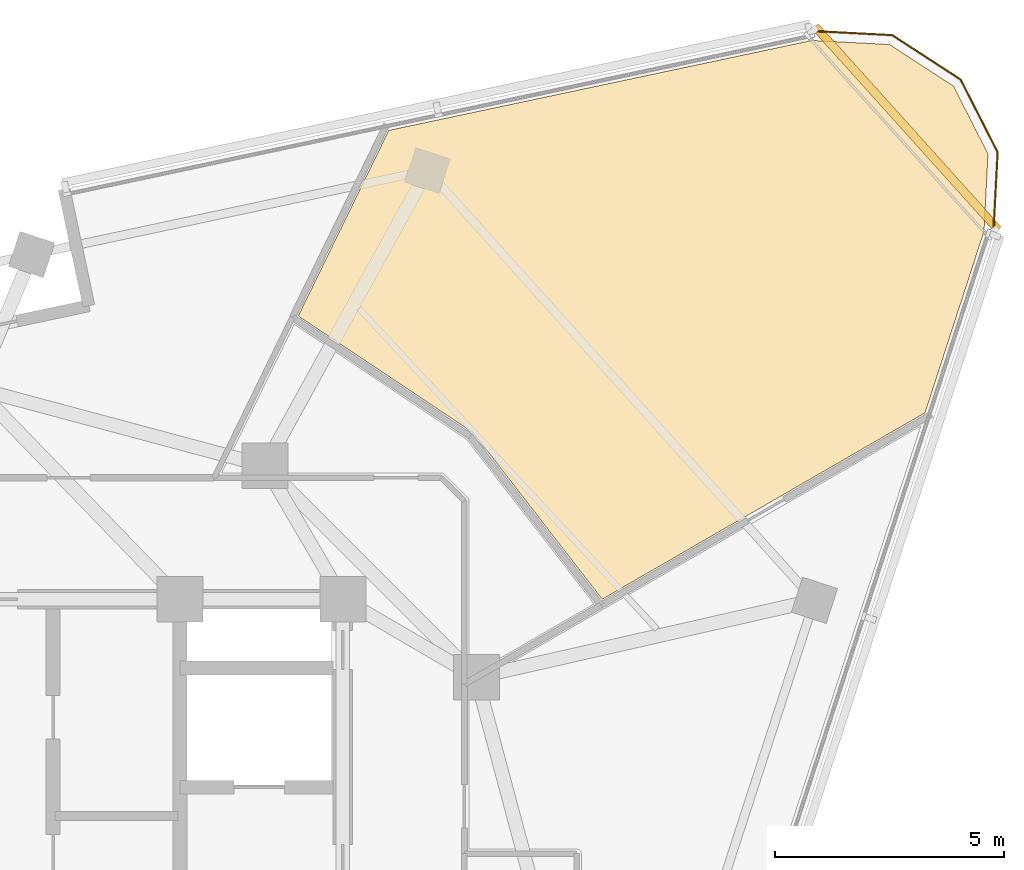
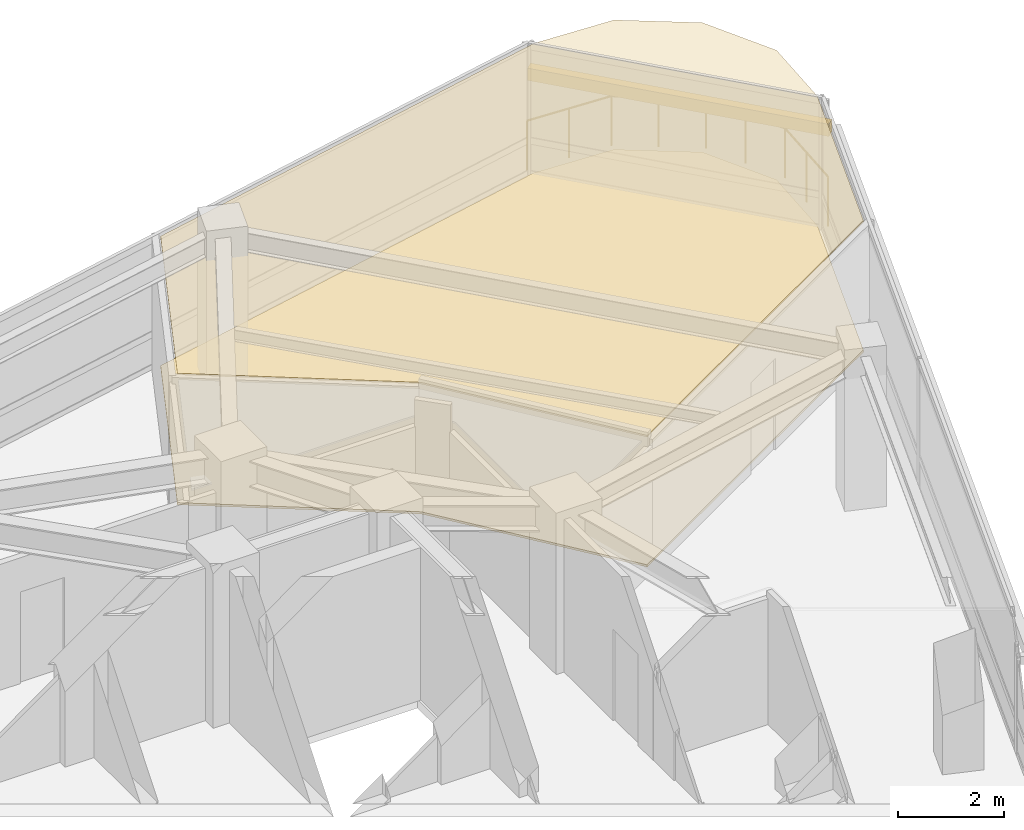
# One storey, part 15 of 15: 2 coverings, 1 railing, 1 shading device.
"""IFC4 building model written with IfcOpenShell, lengths in metres."""

from ifc_helpers import new_model, si_unit, direction, frame, origin, origin_2d, place, context, subcontext, project, spatial, polyline, rectangle, circle, outline, extrude, material, layer, layer_set, type_object, element, save


model = new_model("IFC4")

# Units and contexts
model_context = context("Model", 3, precision=1e-05, world=origin(), true_north=direction((0.0, 1.0)))
body_context = subcontext(model_context, "Body", "Model", "MODEL_VIEW")
ifc_project = project(units=[si_unit("LENGTHUNIT", "METRE"), si_unit("AREAUNIT", "SQUARE_METRE"), si_unit("VOLUMEUNIT", "CUBIC_METRE"), si_unit("PLANEANGLEUNIT", "RADIAN"), si_unit("MASSUNIT", "GRAM", prefix="KILO")], contexts=[model_context])

# Site, building, storey
site_placement = place(None, origin())
site = spatial("IfcSite", under=ifc_project, at=site_placement, CompositionType="ELEMENT")
building_placement = place(site_placement, origin())
building = spatial("IfcBuilding", under=site, at=building_placement, Name="Terralouvre Media Tower", CompositionType="ELEMENT")
storey_placement = place(building_placement, frame((0.0, 0.0, 305.39990234375)))
storey = spatial("IfcBuildingStorey", under=building, at=storey_placement, Name="L79", CompositionType="ELEMENT", Elevation=305.39990234375)

# Coverings
ifc_material_1 = material(Name="Resilient elastomer acoustic broadcast studio flooring")
ifc_layer_1 = layer(ifc_material_1, 0.050048828125, Name="Broadcast Studio Acoustic Floating Floor FL-AC1")
ifc_layer_set_1 = layer_set([ifc_layer_1], Name="Resilient elastomer acoustic broadcast studio flooring")
covering_type_1 = type_object("IfcCoveringType", Name="Broadcast Studio Acoustic Floating Floor FL-AC1", PredefinedType="FLOORING", material=ifc_layer_set_1)
covering_1_placement = place(storey_placement, frame((0.0, 0.0, 0.0), z_axis=(0.0, 0.0, 1.0), x_axis=(0.309016994375, 0.951056516295, 0.0)))
element("IfcCovering", 1, at=covering_1_placement, inside=storey, type_object=covering_type_1, Name="L79 Sound Engineers Crew Room 7 Acoustic Floating Floor", PredefinedType="FLOORING", context=body_context, shape_type="SweptSolid", body=[
    extrude(outline(polyline([(20.115478515625, -2.927734375), (15.6572265625, -2.301513671875), (14.415771484375, -6.705078125), (14.412109375, -6.71533203125), (14.40771484375, -6.724853515625), (14.402099609375, -6.734130859375), (11.82763671875, -10.515380859375), (17.870849609375, -15.956298828125), (22.031494140625, -15.95654296875), (23.666015625, -15.51806640625), (24.841552734375, -14.342529296875), (25.272216796875, -12.73681640625), (24.834228515625, -11.10107421875), (20.115478515625, -2.927734375)])), origin(), (0.0, 0.0, 1.0), 0.050048828125),
])
ifc_material_2 = material(Name="Perforated aluminium acoustic ceiling baffle", Category="aluminium")
ifc_layer_2 = layer(ifc_material_2, 0.0400390625, Name="Perforated Acoustic Metal Tile Ceiling CL-AC1")
ifc_layer_set_2 = layer_set([ifc_layer_2], Name="Perforated aluminium acoustic ceiling baffle")
covering_type_2 = type_object("IfcCoveringType", Name="Perforated Acoustic Metal Tile Ceiling CL-AC1", PredefinedType="CEILING", material=ifc_layer_set_2)
covering_2_placement = place(storey_placement, frame((0.0, 0.0, 2.97998046875), z_axis=(0.0, 0.0, 1.0), x_axis=(0.309016994375, 0.951056516295, 0.0)))
element("IfcCovering", 2, at=covering_2_placement, inside=storey, type_object=covering_type_2, Name="L79 Sound Engineers Crew Room 7 Acoustic Ceiling", PredefinedType="CEILING", context=body_context, shape_type="SweptSolid", body=[
    extrude(outline(polyline([(20.115478515625, -2.927734375), (15.6572265625, -2.301513671875), (14.415771484375, -6.705078125), (14.412109375, -6.71533203125), (14.40771484375, -6.724853515625), (14.402099609375, -6.734130859375), (11.82763671875, -10.515380859375), (17.870849609375, -15.956298828125), (22.031494140625, -15.95654296875), (23.666015625, -15.51806640625), (24.841552734375, -14.342529296875), (25.272216796875, -12.73681640625), (24.834228515625, -11.10107421875), (20.115478515625, -2.927734375)])), origin(), (0.0, 0.0, 1.0), 0.0400390625),
])

# Railing
ifc_material_3 = material(Name="Stainless steel 316 handrail and balustrade", Category="steel")
ifc_layer_3 = layer(ifc_material_3, 0.06005859375, Name="Roof Edge Safety Guardrail GR-ROOF1")
ifc_layer_set_3 = layer_set([ifc_layer_3], Name="Stainless steel 316 handrail and balustrade")
railing_type = type_object("IfcRailingType", Name="Roof Edge Safety Guardrail GR-ROOF1", PredefinedType="GUARDRAIL", material=ifc_layer_set_3)
railing_placement = place(storey_placement, frame((22.189453125, 15.972900390625, 0.0)))
element("IfcRailing", 3, at=railing_placement, inside=storey, type_object=railing_type, Name="L79 Wind-Corner Perimeter Safety Guardrail C1", PredefinedType="GUARDRAIL", context=body_context, shape_type="SweptSolid", body=[
    extrude(circle(Radius=0.02099609375, at=origin_2d()), frame((0.0, 0.0, 1.12890625), z_axis=(0.052530038308, 0.998619344433, 0.0), x_axis=(-0.998619344433, 0.052530038308, 0.0)), (0.0, 0.0, 1.0), 1.780029296875),
    extrude(circle(Radius=0.02099609375, at=origin_2d()), frame((0.093505859375, 1.777587890625, 1.12890625), z_axis=(-0.453894958645, 0.891055198356, 0.0), x_axis=(-0.891055198356, -0.453894958645, 0.0)), (0.0, 0.0, 1.0), 1.77978515625),
    extrude(circle(Radius=0.02099609375, at=origin_2d()), frame((-0.71435546875, 3.363525390625, 1.12890625), z_axis=(-0.838763173907, 0.544496407791, 0.0), x_axis=(-0.544496407791, -0.838763173907, 0.0)), (0.0, 0.0, 1.0), 1.779541015625),
    extrude(circle(Radius=0.02099609375, at=origin_2d()), frame((-2.20703125, 4.33251953125, 1.12890625), z_axis=(-0.998641217395, 0.052112560095, 0.0), x_axis=(-0.052112560095, -0.998641217395, 0.0)), (0.0, 0.0, 1.0), 1.7802734375),
    extrude(circle(Radius=0.01904296875, at=origin_2d()), origin(), (0.0, 0.0, 1.0), 1.10791015625),
    extrude(circle(Radius=0.01904296875, at=origin_2d()), frame((0.046875, 0.888671875, 0.0)), (0.0, 0.0, 1.0), 1.10791015625),
    extrude(circle(Radius=0.01904296875, at=origin_2d()), frame((0.093505859375, 1.777587890625, 0.0)), (0.0, 0.0, 1.0), 1.10791015625),
    extrude(circle(Radius=0.01904296875, at=origin_2d()), frame((-0.310546875, 2.570556640625, 0.0)), (0.0, 0.0, 1.0), 1.10791015625),
    extrude(circle(Radius=0.01904296875, at=origin_2d()), frame((-0.71435546875, 3.363525390625, 0.0)), (0.0, 0.0, 1.0), 1.10791015625),
    extrude(circle(Radius=0.01904296875, at=origin_2d()), frame((-1.460693359375, 3.84814453125, 0.0)), (0.0, 0.0, 1.0), 1.10791015625),
    extrude(circle(Radius=0.01904296875, at=origin_2d()), frame((-2.20703125, 4.33251953125, 0.0)), (0.0, 0.0, 1.0), 1.10791015625),
    extrude(circle(Radius=0.01904296875, at=origin_2d()), frame((-3.095947265625, 4.37890625, 0.0)), (0.0, 0.0, 1.0), 1.10791015625),
    extrude(circle(Radius=0.01904296875, at=origin_2d()), frame((-3.98486328125, 4.42529296875, 0.0)), (0.0, 0.0, 1.0), 1.10791015625),
])

# Shading device
ifc_material_4 = material(Name="Extruded terracotta baguette sunshade louvres", Category="masonry")
shading_device_type = type_object("IfcShadingDeviceType", Name="Terracotta Baguette Sunshade Louvre Screen TB-LV1", PredefinedType="USERDEFINED", material=ifc_material_4)
shading_device_placement = place(storey_placement, frame((20.29736328125, 18.27587890625, 2.02392578125), z_axis=(0.0, 0.0, 1.0), x_axis=(-0.669130231192, 0.743145163279, 0.0)))
element("IfcShadingDevice", 4, at=shading_device_placement, inside=storey, type_object=shading_device_type, Name="CW-L79-C1 Terracotta Baguette Sunshade Louvre", ObjectType="BAGUETTE", PredefinedType="USERDEFINED", context=body_context, shape_type="SweptSolid", body=[
    extrude(rectangle(XDim=5.958251953125, YDim=0.179931640625, at=origin_2d()), origin(), (0.0, 0.0, 1.0), 0.280029296875),
])

save(model, "model.ifc")
